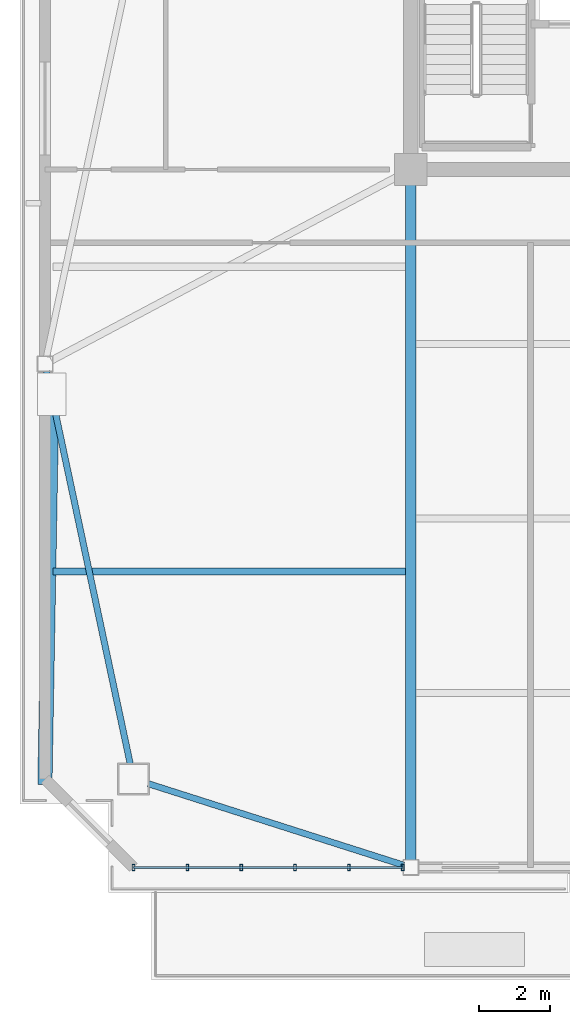
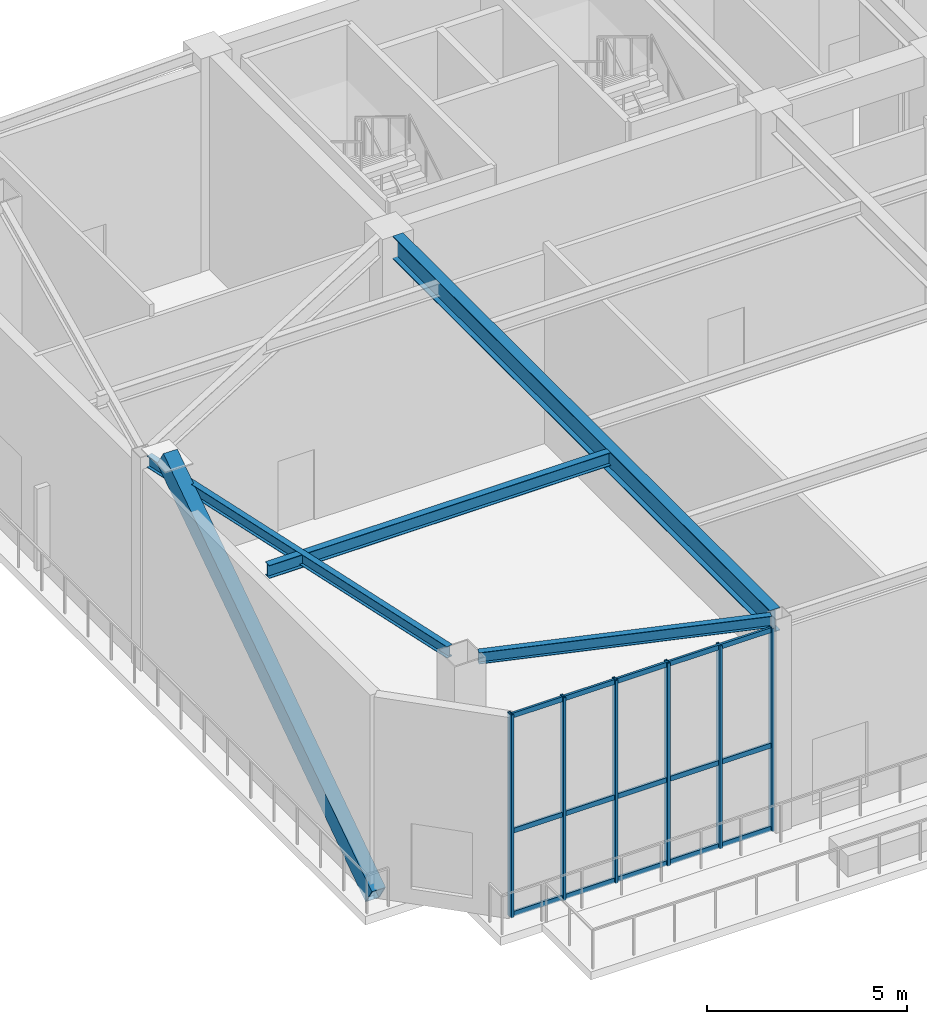
# One storey, part 2 of 15: 10 members, 4 beams, 1 element without a shape of its own.
"""IFC4 building model written with IfcOpenShell, lengths in metres."""

from ifc_helpers import new_model, si_unit, direction, frame, origin, origin_2d, place, context, subcontext, project, spatial, hollow_rectangle, i_section, extrude, source, transform, mapped, material, layer, layer_set, material_profile, profile_set, type_object, element, aggregate, save


model = new_model("IFC4")

# Units and contexts
model_context = context("Model", 3, precision=1e-05, world=origin(), true_north=direction((0.0, 1.0)))
body_context = subcontext(model_context, "Body", "Model", "MODEL_VIEW")
ifc_project = project(units=[si_unit("LENGTHUNIT", "METRE"), si_unit("AREAUNIT", "SQUARE_METRE"), si_unit("VOLUMEUNIT", "CUBIC_METRE"), si_unit("PLANEANGLEUNIT", "RADIAN"), si_unit("MASSUNIT", "GRAM", prefix="KILO")], contexts=[model_context])

# Site, building, storey
site_placement = place(None, origin())
site = spatial("IfcSite", under=ifc_project, at=site_placement, CompositionType="ELEMENT")
building_placement = place(site_placement, origin())
building = spatial("IfcBuilding", under=site, at=building_placement, Name="Giltprow Tower", CompositionType="ELEMENT")
storey_placement = place(building_placement, frame((0.0, 0.0, 279.10009765625)))
storey = spatial("IfcBuildingStorey", under=building, at=storey_placement, Name="L72", CompositionType="ELEMENT", Elevation=279.10009765625)

# Beams
ifc_material_1 = material(Name="Structural steel Q355B", Category="steel")
ifc_material_profile_1 = material_profile(ifc_material_1, i_section(OverallWidth=0.175048828125, OverallDepth=0.35009765625, WebThickness=0.007080078125, FlangeThickness=0.010986328125, at=origin_2d()), Name="HN 350x175x7x11")
ifc_profile_set_1 = profile_set([ifc_material_profile_1], Name="Structural steel Q355B")
beam_type_1 = type_object("IfcBeamType", Name="BM-SPAN-HN350", PredefinedType="SPANDREL", material=ifc_profile_set_1)
shared_shape_1 = source(origin(), body_context, "Body", "SweptSolid", [
    extrude(i_section(OverallWidth=0.175048828125, OverallDepth=0.35009765625, WebThickness=0.007080078125, FlangeThickness=0.010986328125, at=origin_2d()), origin(), (0.0, 0.0, 1.0), 7.5048828125),
])
beam_1_placement = place(storey_placement, frame((12.5, 20.2529296875, 6.344970703125), z_axis=(0.952693085845, -0.303934012875, 0.0), x_axis=(0.303934012875, 0.952693085845, 0.0)))
element("IfcBeam", 1, at=beam_1_placement, inside=storey, type_object=beam_type_1, Name="L72 Perimeter Spandrel Beam MC_SW-S1", PredefinedType="SPANDREL", context=body_context, shape_type="MappedRepresentation", body=[
    mapped(shared_shape_1, transform((0.0, 0.0, 0.0), x_axis=(1.0, 0.0, 0.0), y_axis=(0.0, 1.0, 0.0), z_axis=(0.0, 0.0, 1.0), scale=1.0)),
])
shared_shape_2 = source(origin(), body_context, "Body", "SweptSolid", [
    extrude(i_section(OverallWidth=0.175048828125, OverallDepth=0.35009765625, WebThickness=0.007080078125, FlangeThickness=0.010986328125, at=origin_2d()), origin(), (0.0, 0.0, 1.0), 11.23583984375),
])
beam_2_placement = place(storey_placement, frame((9.653076171875, 31.799072265625, 6.344970703125), z_axis=(0.208444216546, -0.97803425737, 0.0), x_axis=(0.97803425737, 0.208444216546, 0.0)))
element("IfcBeam", 2, at=beam_2_placement, inside=storey, type_object=beam_type_1, Name="L72 Perimeter Spandrel Beam W_MID-MC_SW", PredefinedType="SPANDREL", context=body_context, shape_type="MappedRepresentation", body=[
    mapped(shared_shape_2, transform((0.0, 0.0, 0.0), x_axis=(1.0, 0.0, 0.0), y_axis=(0.0, 1.0, 0.0), z_axis=(0.0, 0.0, 1.0), scale=1.0)),
])
ifc_material_profile_2 = material_profile(ifc_material_1, i_section(OverallWidth=0.300048828125, OverallDepth=0.699951171875, WebThickness=0.012939453125, FlangeThickness=0.02392578125, at=origin_2d()), Name="HN 700x300x13x24")
ifc_profile_set_2 = profile_set([ifc_material_profile_2], Name="Structural steel Q355B")
beam_type_2 = type_object("IfcBeamType", Name="BM-GIRD-HN700", PredefinedType="BEAM", material=ifc_profile_set_2)
shared_shape_3 = source(origin(), body_context, "Body", "SweptSolid", [
    extrude(i_section(OverallWidth=0.300048828125, OverallDepth=0.699951171875, WebThickness=0.012939453125, FlangeThickness=0.02392578125, at=origin_2d()), origin(), (0.0, 0.0, 1.0), 18.89697265625),
])
beam_3_placement = place(storey_placement, frame((19.85009765625, 18.117919921875, 6.169921875), z_axis=(0.0, 1.0, 0.0), x_axis=(-1.0, 0.0, 0.0)))
element("IfcBeam", 3, at=beam_3_placement, inside=storey, type_object=beam_type_2, Name="L72 Primary Lease Girder S1", PredefinedType="BEAM", context=body_context, shape_type="MappedRepresentation", body=[
    mapped(shared_shape_3, transform((0.0, 0.0, 0.0), x_axis=(1.0, 0.0, 0.0), y_axis=(0.0, 1.0, 0.0), z_axis=(0.0, 0.0, 1.0), scale=1.0)),
])
ifc_material_profile_3 = material_profile(ifc_material_1, i_section(OverallWidth=0.199951171875, OverallDepth=0.39990234375, WebThickness=0.008056640625, FlangeThickness=0.012939453125, at=origin_2d()), Name="HN 400x200x8x13")
ifc_profile_set_3 = profile_set([ifc_material_profile_3], Name="Structural steel Q355B")
beam_type_3 = type_object("IfcBeamType", Name="BM-JOIST-HN400", PredefinedType="JOIST", material=ifc_profile_set_3)
shared_shape_4 = source(origin(), body_context, "Body", "SweptSolid", [
    extrude(i_section(OverallWidth=0.199951171875, OverallDepth=0.39990234375, WebThickness=0.008056640625, FlangeThickness=0.012939453125, at=origin_2d()), origin(), (0.0, 0.0, 1.0), 9.8759765625),
])
beam_4_placement = place(storey_placement, frame((9.8291015625, 26.194091796875, 6.31982421875), z_axis=(1.0, 0.0, 0.0), x_axis=(0.0, 1.0, 0.0)))
element("IfcBeam", 4, at=beam_4_placement, inside=storey, type_object=beam_type_3, Name="L72 West Wing Floor Joist 1", PredefinedType="JOIST", context=body_context, shape_type="MappedRepresentation", body=[
    mapped(shared_shape_4, transform((0.0, 0.0, 0.0), x_axis=(1.0, 0.0, 0.0), y_axis=(0.0, 1.0, 0.0), z_axis=(0.0, 0.0, 1.0), scale=1.0)),
])

# Member
ifc_material_2 = material(Name="Structural steel Q420GJC", Category="steel")
ifc_material_profile_4 = material_profile(ifc_material_2, hollow_rectangle(XDim=0.39990234375, YDim=0.60009765625, WallThickness=0.028076171875, at=origin_2d()), Name="RHS 600x400x28")
ifc_profile_set_4 = profile_set([ifc_material_profile_4], Name="Structural steel Q420GJC")
member_type_1 = type_object("IfcMemberType", Name="MBR-MEGA-RHS600", PredefinedType="BRACE", material=ifc_profile_set_4)
shared_shape_5 = source(origin(), body_context, "Body", "SweptSolid", [
    extrude(hollow_rectangle(XDim=0.39990234375, YDim=0.60009765625, WallThickness=0.028076171875, at=origin_2d()), origin(), (0.0, 0.0, 1.0), 12.7392578125),
])
member_1_placement = place(storey_placement, frame((9.60888671875, 20.385009765625, 0.0), z_axis=(0.015082410384, 0.845496545542, 0.533767845016), x_axis=(-0.999840931494, 0.017835686411, 0.0)))
element("IfcMember", 5, at=member_1_placement, inside=storey, type_object=member_type_1, Name="L72 Chevron Mega-Brace W-D", PredefinedType="BRACE", context=body_context, shape_type="MappedRepresentation", body=[
    mapped(shared_shape_5, transform((0.0, 0.0, 0.0), x_axis=(1.0, 0.0, 0.0), y_axis=(0.0, 1.0, 0.0), z_axis=(0.0, 0.0, 1.0), scale=1.0)),
])

# Curtain wall, members
ifc_material_3 = material(Name="Anodized bronze", Category="metal")
ifc_layer = layer(ifc_material_3, 0.179931640625, Name="Anodized bronze")
ifc_layer_set = layer_set([ifc_layer], Name="Anodized bronze")
curtain_wall_type = type_object("IfcCurtainWallType", Name="CW-SKYGARDEN", PredefinedType="NOTDEFINED", material=ifc_layer_set)
curtain_wall_placement = place(storey_placement, origin())
curtain_wall = element("IfcCurtainWall", 6, at=curtain_wall_placement, inside=storey, type_object=curtain_wall_type, Name="L72 South Recessed Curtain Wall 1", PredefinedType="NOTDEFINED")
ifc_material_profile_5 = material_profile(ifc_material_3, hollow_rectangle(XDim=0.074951171875, YDim=0.179931640625, WallThickness=0.008056640625, at=origin_2d()), Name="RHS 180x75x8")
ifc_profile_set_5 = profile_set([ifc_material_profile_5], Name="Anodized bronze")
member_type_2 = type_object("IfcMemberType", Name="CW-MULLION-180x75", PredefinedType="MULLION", material=ifc_profile_set_5)
shared_shape_6 = source(origin(), body_context, "Body", "SweptSolid", [
    extrude(hollow_rectangle(XDim=0.074951171875, YDim=0.179931640625, WallThickness=0.008056640625, at=origin_2d()), origin(), (0.0, 0.0, 1.0), 6.204833984375),
])
member_2_placement = place(storey_placement, frame((12.0859375, 17.907958984375, -0.02001953125), z_axis=(0.0, 0.0, 1.0), x_axis=(1.0, 0.0, 0.0)))
member_2 = element("IfcMember", 7, at=member_2_placement, type_object=member_type_2, Name="L72 South Recessed Curtain Wall 1 Mullion 1", PredefinedType="MULLION", context=body_context, shape_type="MappedRepresentation", body=[
    mapped(shared_shape_6, transform((0.0, 0.0, 0.0), x_axis=(1.0, 0.0, 0.0), y_axis=(0.0, 1.0, 0.0), z_axis=(0.0, 0.0, 1.0), scale=1.0)),
])
member_3_placement = place(storey_placement, frame((13.593994140625, 17.907958984375, -0.02001953125), z_axis=(0.0, 0.0, 1.0), x_axis=(1.0, 0.0, 0.0)))
member_3 = element("IfcMember", 8, at=member_3_placement, type_object=member_type_2, Name="L72 South Recessed Curtain Wall 1 Mullion 2", PredefinedType="MULLION", context=body_context, shape_type="MappedRepresentation", body=[
    mapped(shared_shape_6, transform((0.0, 0.0, 0.0), x_axis=(1.0, 0.0, 0.0), y_axis=(0.0, 1.0, 0.0), z_axis=(0.0, 0.0, 1.0), scale=1.0)),
])
member_4_placement = place(storey_placement, frame((15.10205078125, 17.907958984375, -0.02001953125), z_axis=(0.0, 0.0, 1.0), x_axis=(1.0, 0.0, 0.0)))
member_4 = element("IfcMember", 9, at=member_4_placement, type_object=member_type_2, Name="L72 South Recessed Curtain Wall 1 Mullion 3", PredefinedType="MULLION", context=body_context, shape_type="MappedRepresentation", body=[
    mapped(shared_shape_6, transform((0.0, 0.0, 0.0), x_axis=(1.0, 0.0, 0.0), y_axis=(0.0, 1.0, 0.0), z_axis=(0.0, 0.0, 1.0), scale=1.0)),
])
member_5_placement = place(storey_placement, frame((16.60888671875, 17.907958984375, -0.02001953125), z_axis=(0.0, 0.0, 1.0), x_axis=(1.0, 0.0, 0.0)))
member_5 = element("IfcMember", 10, at=member_5_placement, type_object=member_type_2, Name="L72 South Recessed Curtain Wall 1 Mullion 4", PredefinedType="MULLION", context=body_context, shape_type="MappedRepresentation", body=[
    mapped(shared_shape_6, transform((0.0, 0.0, 0.0), x_axis=(1.0, 0.0, 0.0), y_axis=(0.0, 1.0, 0.0), z_axis=(0.0, 0.0, 1.0), scale=1.0)),
])
member_6_placement = place(storey_placement, frame((18.116943359375, 17.907958984375, -0.02001953125), z_axis=(0.0, 0.0, 1.0), x_axis=(1.0, 0.0, 0.0)))
member_6 = element("IfcMember", 11, at=member_6_placement, type_object=member_type_2, Name="L72 South Recessed Curtain Wall 1 Mullion 5", PredefinedType="MULLION", context=body_context, shape_type="MappedRepresentation", body=[
    mapped(shared_shape_6, transform((0.0, 0.0, 0.0), x_axis=(1.0, 0.0, 0.0), y_axis=(0.0, 1.0, 0.0), z_axis=(0.0, 0.0, 1.0), scale=1.0)),
])
member_7_placement = place(storey_placement, frame((19.625, 17.907958984375, -0.02001953125), z_axis=(0.0, 0.0, 1.0), x_axis=(1.0, 0.0, 0.0)))
member_7 = element("IfcMember", 12, at=member_7_placement, type_object=member_type_2, Name="L72 South Recessed Curtain Wall 1 Mullion 6", PredefinedType="MULLION", context=body_context, shape_type="MappedRepresentation", body=[
    mapped(shared_shape_6, transform((0.0, 0.0, 0.0), x_axis=(1.0, 0.0, 0.0), y_axis=(0.0, 1.0, 0.0), z_axis=(0.0, 0.0, 1.0), scale=1.0)),
])
ifc_material_profile_6 = material_profile(ifc_material_3, hollow_rectangle(XDim=0.06494140625, YDim=0.14990234375, WallThickness=0.006103515625, at=origin_2d()), Name="RHS 150x65x6")
ifc_profile_set_6 = profile_set([ifc_material_profile_6], Name="Anodized bronze")
member_type_3 = type_object("IfcMemberType", Name="CW-TRANSOM-150x65", PredefinedType="USERDEFINED", material=ifc_profile_set_6)
shared_shape_7 = source(origin(), body_context, "Body", "SweptSolid", [
    extrude(hollow_rectangle(XDim=0.06494140625, YDim=0.14990234375, WallThickness=0.006103515625, at=origin_2d()), origin(), (0.0, 0.0, 1.0), 7.5390625),
])
member_8_placement = place(storey_placement, frame((12.0859375, 17.907958984375, 0.039794921875), z_axis=(1.0, 0.0, 0.0), x_axis=(0.0, 1.0, 0.0)))
member_8 = element("IfcMember", 13, at=member_8_placement, type_object=member_type_3, Name="L72 South Recessed Curtain Wall 1 Transom 1", ObjectType="TRANSOM", PredefinedType="USERDEFINED", context=body_context, shape_type="MappedRepresentation", body=[
    mapped(shared_shape_7, transform((0.0, 0.0, 0.0), x_axis=(1.0, 0.0, 0.0), y_axis=(0.0, 1.0, 0.0), z_axis=(0.0, 0.0, 1.0), scale=1.0)),
])
member_9_placement = place(storey_placement, frame((12.0859375, 17.907958984375, 2.5830078125), z_axis=(1.0, 0.0, 0.0), x_axis=(0.0, 1.0, 0.0)))
member_9 = element("IfcMember", 14, at=member_9_placement, type_object=member_type_3, Name="L72 South Recessed Curtain Wall 1 Transom 2", ObjectType="TRANSOM", PredefinedType="USERDEFINED", context=body_context, shape_type="MappedRepresentation", body=[
    mapped(shared_shape_7, transform((0.0, 0.0, 0.0), x_axis=(1.0, 0.0, 0.0), y_axis=(0.0, 1.0, 0.0), z_axis=(0.0, 0.0, 1.0), scale=1.0)),
])
member_10_placement = place(storey_placement, frame((12.0859375, 17.907958984375, 6.10986328125), z_axis=(1.0, 0.0, 0.0), x_axis=(0.0, 1.0, 0.0)))
member_10 = element("IfcMember", 15, at=member_10_placement, type_object=member_type_3, Name="L72 South Recessed Curtain Wall 1 Transom 3", ObjectType="TRANSOM", PredefinedType="USERDEFINED", context=body_context, shape_type="MappedRepresentation", body=[
    mapped(shared_shape_7, transform((0.0, 0.0, 0.0), x_axis=(1.0, 0.0, 0.0), y_axis=(0.0, 1.0, 0.0), z_axis=(0.0, 0.0, 1.0), scale=1.0)),
])
aggregate(curtain_wall, [member_2, member_3, member_4, member_5, member_6, member_7, member_8, member_9, member_10])

save(model, "model.ifc")
